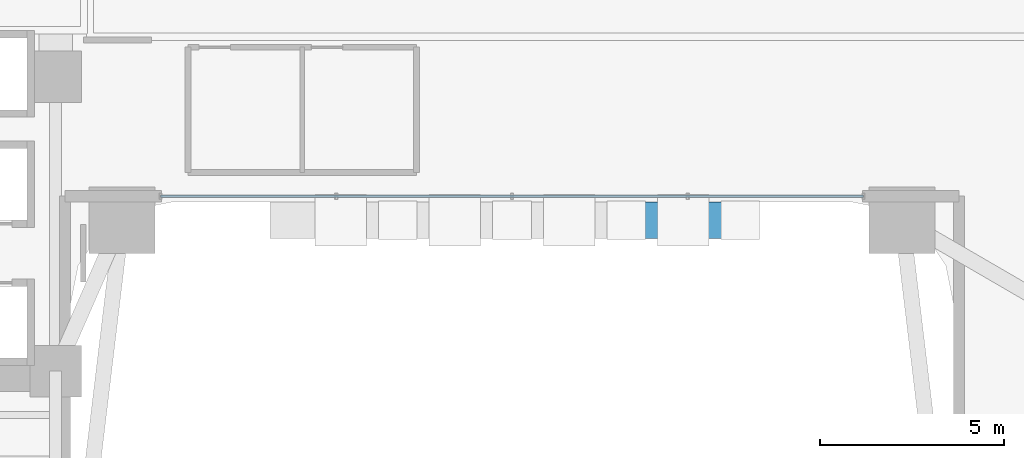
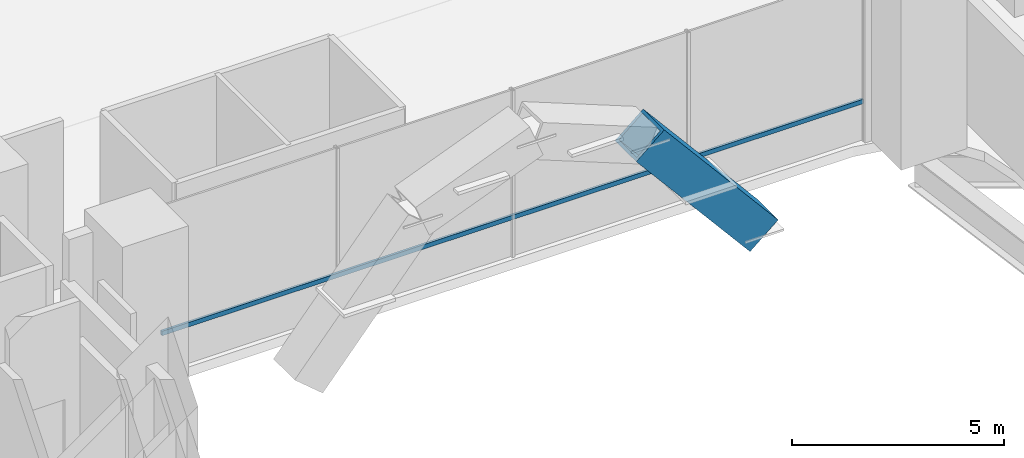
# One storey, part 9 of 39: 2 members, 1 element without a shape of its own.
"""IFC4 building model written with IfcOpenShell, lengths in metres."""

from ifc_helpers import new_model, si_unit, direction, frame, origin, origin_2d, place, context, subcontext, project, spatial, hollow_rectangle, extrude, source, transform, mapped, material, material_profile, profile_set, type_object, element, aggregate, save


model = new_model("IFC4")

# Units and contexts
model_context = context("Model", 3, precision=1e-05, world=origin(), true_north=direction((0.0, 1.0)))
body_context = subcontext(model_context, "Body", "Model", "MODEL_VIEW")
ifc_project = project(units=[si_unit("LENGTHUNIT", "METRE"), si_unit("AREAUNIT", "SQUARE_METRE"), si_unit("VOLUMEUNIT", "CUBIC_METRE"), si_unit("PLANEANGLEUNIT", "RADIAN"), si_unit("MASSUNIT", "GRAM", prefix="KILO")], contexts=[model_context])

# Site, building, storey
site_placement = place(None, origin())
site = spatial("IfcSite", under=ifc_project, at=site_placement, CompositionType="ELEMENT")
building_placement = place(site_placement, origin())
building = spatial("IfcBuilding", under=site, at=building_placement, Name="Valdorenza Pilgrim Sanctuary Tower", CompositionType="ELEMENT")
storey_placement = place(building_placement, frame((0.0, 0.0, 15.60009765625)))
storey = spatial("IfcBuildingStorey", under=building, at=storey_placement, Name="L03", CompositionType="ELEMENT", Elevation=15.60009765625)

# Member
ifc_material_1 = material(Name="Steel ASTM A572 Grade 42", Category="steel")
ifc_material_profile_1 = material_profile(ifc_material_1, hollow_rectangle(XDim=1.0, YDim=1.0, WallThickness=0.080078125, at=origin_2d()), Name="BOX 1000x1000x80")
ifc_profile_set_1 = profile_set([ifc_material_profile_1], Name="Steel ASTM A572 Grade 42")
member_type_1 = type_object("IfcMemberType", Name="STR-MB-ARCH-RIB", PredefinedType="CHORD", material=ifc_profile_set_1)
shared_shape_1 = source(origin(), body_context, "Body", "SweptSolid", [
    extrude(hollow_rectangle(XDim=1.0, YDim=1.0, WallThickness=0.080078125, at=origin_2d()), origin(), (0.0, 0.0, 1.0), 4.807861328125),
])
member_1_placement = place(storey_placement, frame((3.10009765625, -6.5, 2.77490234375), z_axis=(0.644753207786, 0.0, -0.764390803875), x_axis=(0.0, 1.0, 0.0)))
element("IfcMember", 1, at=member_1_placement, inside=storey, type_object=member_type_1, Name="Parabolic Portal Arch Rib INNER Seg 6", PredefinedType="CHORD", context=body_context, shape_type="MappedRepresentation", body=[
    mapped(shared_shape_1, transform((0.0, 0.0, 0.0), x_axis=(1.0, 0.0, 0.0), y_axis=(0.0, 1.0, 0.0), z_axis=(0.0, 0.0, 1.0), scale=1.0)),
])

# Curtain wall, member
ifc_material_2 = material(Name="Curtain-wall IGU glazing", Category="glass")
curtain_wall_type = type_object("IfcCurtainWallType", Name="CW-SYS-01", PredefinedType="NOTDEFINED", material=ifc_material_2)
curtain_wall_placement = place(storey_placement, origin())
curtain_wall = element("IfcCurtainWall", 2, at=curtain_wall_placement, inside=storey, type_object=curtain_wall_type, Name="L03 Curtain Wall CW-POD-L03-ARCH-BACK", PredefinedType="NOTDEFINED")
ifc_material_3 = material(Name="Anodised aluminium AW-6060", Category="aluminium")
ifc_material_profile_2 = material_profile(ifc_material_3, hollow_rectangle(XDim=0.06494140625, YDim=0.1298828125, WallThickness=0.00341796875, at=origin_2d()), Name="ALU-T 130x65x3.5")
ifc_profile_set_2 = profile_set([ifc_material_profile_2], Name="Anodised aluminium AW-6060")
member_type_2 = type_object("IfcMemberType", Name="CW-TRN-01", PredefinedType="USERDEFINED", material=ifc_profile_set_2)
shared_shape_2 = source(origin(), body_context, "Body", "SweptSolid", [
    extrude(hollow_rectangle(XDim=0.06494140625, YDim=0.1298828125, WallThickness=0.00341796875, at=origin_2d()), origin(), (0.0, 0.0, 1.0), 19.10009765625),
])
member_2_placement = place(storey_placement, frame((-9.550048828125, -5.85009765625, 1.119873046875), z_axis=(1.0, 0.0, 0.0), x_axis=(0.0, 1.0, 0.0)))
member_2 = element("IfcMember", 3, at=member_2_placement, type_object=member_type_2, Name="CW-POD-L03-ARCH-BACK Transom 1", ObjectType="TRANSOM", PredefinedType="USERDEFINED", context=body_context, shape_type="MappedRepresentation", body=[
    mapped(shared_shape_2, transform((0.0, 0.0, 0.0), x_axis=(1.0, 0.0, 0.0), y_axis=(0.0, 1.0, 0.0), z_axis=(0.0, 0.0, 1.0), scale=1.0)),
])
aggregate(curtain_wall, [member_2])

save(model, "model.ifc")
